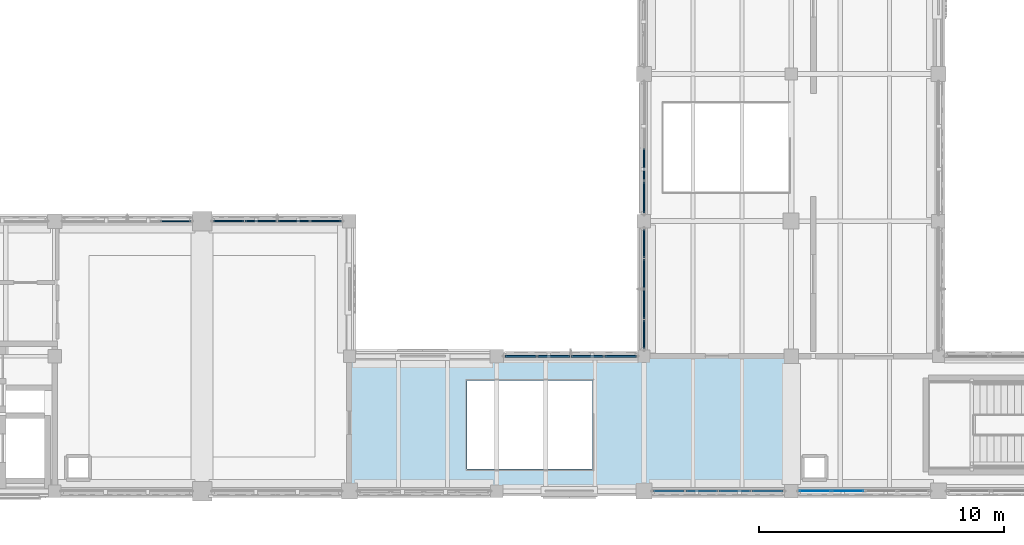
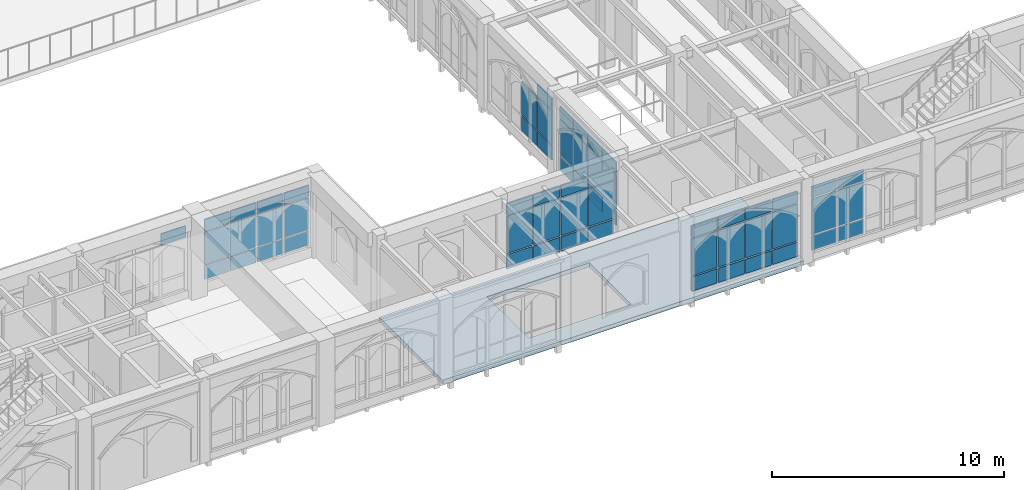
# One storey, part 66 of 127: 60 plates, 1 slab, 7 elements without a shape of their own.
"""IFC4 building model written with IfcOpenShell, lengths in metres."""

from ifc_helpers import new_model, si_unit, direction, frame, origin, origin_2d, place, context, subcontext, project, spatial, polyline, rectangle, outline, extrude, material, layer, layer_set, type_object, element, aggregate, save


model = new_model("IFC4")

# Units and contexts
model_context = context("Model", 3, precision=1e-05, world=origin(), true_north=direction((0.0, 1.0)))
body_context = subcontext(model_context, "Body", "Model", "MODEL_VIEW")
ifc_project = project(units=[si_unit("LENGTHUNIT", "METRE"), si_unit("AREAUNIT", "SQUARE_METRE"), si_unit("VOLUMEUNIT", "CUBIC_METRE"), si_unit("PLANEANGLEUNIT", "RADIAN"), si_unit("MASSUNIT", "GRAM", prefix="KILO")], contexts=[model_context])

# Site, building, storey
site_placement = place(None, origin())
site = spatial("IfcSite", under=ifc_project, at=site_placement, CompositionType="ELEMENT")
building_placement = place(site_placement, origin())
building = spatial("IfcBuilding", under=site, at=building_placement, Name="Cumevento Cable Car Station", CompositionType="ELEMENT")
storey_placement = place(building_placement, frame((0.0, 0.0, 4.5)))
storey = spatial("IfcBuildingStorey", under=building, at=storey_placement, Name="L02", CompositionType="ELEMENT", Elevation=4.5)

# Slab
ifc_material_1 = material(Name="Concrete C40/50", Category="concrete")
ifc_layer_1 = layer(ifc_material_1, 0.22412109375)
ifc_layer_set_1 = layer_set([ifc_layer_1], Name="Concrete C40/50")
slab_type = type_object("IfcSlabType", Name="Concrete Deck FS-224 224", PredefinedType="FLOOR", material=ifc_layer_set_1)
slab_placement = place(storey_placement, frame((0.0, 0.0, -0.22412109375)))
element("IfcSlab", 1, at=slab_placement, inside=storey, type_object=slab_type, Name="Floor Slab FS-224 L02 B_V1b.1", PredefinedType="FLOOR", context=body_context, shape_type="SweptSolid", body=[
    extrude(outline(polyline([(46.0, 4.0), (64.0, 4.0), (64.0, 9.5), (46.0, 9.5), (46.0, 4.0)]), holes=[polyline([(50.800048828125, 4.89990234375), (55.89990234375, 4.89990234375), (55.89990234375, 8.5), (50.800048828125, 8.5), (50.800048828125, 4.89990234375)])]), origin(), (0.0, 0.0, 1.0), 0.22412109375),
])

# Curtain wall, plates
ifc_material_2 = material(Name="Anodised Bronze Aluminium AW-6063-T6", Category="aluminium")
ifc_layer_2 = layer(ifc_material_2, 0.23193359375)
ifc_layer_set_2 = layer_set([ifc_layer_2], Name="Anodised Bronze Aluminium AW-6063-T6")
curtain_wall_type_1 = type_object("IfcCurtainWallType", Name="Lancet Curtain Wall CW-13 1530", PredefinedType="NOTDEFINED", material=ifc_layer_set_2)
curtain_wall_1_placement = place(storey_placement, origin())
curtain_wall_1 = element("IfcCurtainWall", 2, at=curtain_wall_1_placement, inside=storey, type_object=curtain_wall_type_1, Name="Lancet Curtain Wall CW-13 L02 #28", PredefinedType="NOTDEFINED")
ifc_material_3 = material(Name="Solar Control Laminated Double Glazing", Category="glass")
ifc_layer_3 = layer(ifc_material_3, 0.02197265625)
ifc_layer_set_3 = layer_set([ifc_layer_3], Name="Solar Control Laminated Double Glazing")
plate_type_1 = type_object("IfcPlateType", Name="Glazed Panel CWP-01 22", PredefinedType="CURTAIN_PANEL", material=ifc_layer_set_3)
plate_1_placement = place(storey_placement, frame((66.300048828125, 4.0, 0.425048828125), z_axis=(0.0, 0.0, 1.0), x_axis=(-1.0, 0.0, 0.0)))
plate_1 = element("IfcPlate", 3, at=plate_1_placement, type_object=plate_type_1, Name="CW-13 panel 3.1", PredefinedType="CURTAIN_PANEL", context=body_context, shape_type="SweptSolid", body=[
    extrude(rectangle(XDim=1.284912109375, YDim=0.02197265625, at=origin_2d()), origin(), (0.0, 0.0, 1.0), 0.75244140625),
])
plate_2_placement = place(storey_placement, frame((66.300048828125, 4.0, 1.24267578125), z_axis=(0.0, 0.0, 1.0), x_axis=(-1.0, 0.0, 0.0)))
plate_2 = element("IfcPlate", 4, at=plate_2_placement, type_object=plate_type_1, Name="CW-13 panel 3.2", PredefinedType="CURTAIN_PANEL", context=body_context, shape_type="SweptSolid", body=[
    extrude(rectangle(XDim=1.284912109375, YDim=0.02197265625, at=origin_2d()), origin(), (0.0, 0.0, 1.0), 1.882080078125),
])
plate_3_placement = place(storey_placement, frame((66.300048828125, 4.0, 3.189453125), z_axis=(0.0, 0.0, 1.0), x_axis=(-1.0, 0.0, 0.0)))
plate_3 = element("IfcPlate", 5, at=plate_3_placement, type_object=plate_type_1, Name="CW-13 panel 3.3", PredefinedType="CURTAIN_PANEL", context=body_context, shape_type="SweptSolid", body=[
    extrude(rectangle(XDim=1.284912109375, YDim=0.02197265625, at=origin_2d()), origin(), (0.0, 0.0, 1.0), 0.6025390625),
])
plate_4_placement = place(storey_placement, frame((64.96630859375, 4.0, 0.425048828125), z_axis=(0.0, 0.0, 1.0), x_axis=(-1.0, 0.0, 0.0)))
plate_4 = element("IfcPlate", 6, at=plate_4_placement, type_object=plate_type_1, Name="CW-13 panel 4.1", PredefinedType="CURTAIN_PANEL", context=body_context, shape_type="SweptSolid", body=[
    extrude(rectangle(XDim=1.25244140625, YDim=0.02197265625, at=origin_2d()), origin(), (0.0, 0.0, 1.0), 0.75244140625),
])
plate_5_placement = place(storey_placement, frame((64.96630859375, 4.0, 1.24267578125), z_axis=(0.0, 0.0, 1.0), x_axis=(-1.0, 0.0, 0.0)))
plate_5 = element("IfcPlate", 7, at=plate_5_placement, type_object=plate_type_1, Name="CW-13 panel 4.2", PredefinedType="CURTAIN_PANEL", context=body_context, shape_type="SweptSolid", body=[
    extrude(rectangle(XDim=1.25244140625, YDim=0.02197265625, at=origin_2d()), origin(), (0.0, 0.0, 1.0), 1.882080078125),
])
plate_6_placement = place(storey_placement, frame((64.96630859375, 4.0, 3.189453125), z_axis=(0.0, 0.0, 1.0), x_axis=(-1.0, 0.0, 0.0)))
plate_6 = element("IfcPlate", 8, at=plate_6_placement, type_object=plate_type_1, Name="CW-13 panel 4.3", PredefinedType="CURTAIN_PANEL", context=body_context, shape_type="SweptSolid", body=[
    extrude(rectangle(XDim=1.25244140625, YDim=0.02197265625, at=origin_2d()), origin(), (0.0, 0.0, 1.0), 0.6025390625),
])
aggregate(curtain_wall_1, [plate_1, plate_2, plate_3, plate_4, plate_5, plate_6])

# Curtain wall, plate
ifc_material_4 = material(Name="Anodised Bronze Aluminium AW-6063-T6", Category="aluminium")
ifc_layer_4 = layer(ifc_material_4, 0.18994140625)
ifc_layer_set_4 = layer_set([ifc_layer_4], Name="Anodised Bronze Aluminium AW-6063-T6")
curtain_wall_type_2 = type_object("IfcCurtainWallType", Name="Lancet Curtain Wall CW-06 1250", PredefinedType="NOTDEFINED", material=ifc_layer_set_4)
curtain_wall_2_placement = place(storey_placement, origin())
curtain_wall_2 = element("IfcCurtainWall", 9, at=curtain_wall_2_placement, inside=storey, type_object=curtain_wall_type_2, Name="Lancet Curtain Wall CW-06 L02 #21", PredefinedType="NOTDEFINED")
ifc_material_5 = material(Name="Solar Control Laminated Double Glazing", Category="glass")
ifc_layer_5 = layer(ifc_material_5, 0.050048828125)
ifc_layer_set_5 = layer_set([ifc_layer_5], Name="Solar Control Laminated Double Glazing")
plate_type_2 = type_object("IfcPlateType", Name="Glazed Panel CWP-08 50", PredefinedType="CURTAIN_PANEL", material=ifc_layer_set_5)
plate_7_placement = place(storey_placement, frame((38.921142578125, 15.0, 3.1416015625), z_axis=(0.0, 0.0, 1.0), x_axis=(1.0, 0.0, 0.0)))
plate_7 = element("IfcPlate", 10, at=plate_7_placement, type_object=plate_type_2, Name="CW-06 panel 4.3", PredefinedType="CURTAIN_PANEL", context=body_context, shape_type="SweptSolid", body=[
    extrude(rectangle(XDim=1.2275390625, YDim=0.050048828125, at=origin_2d()), origin(), (0.0, 0.0, 1.0), 0.6025390625),
])
aggregate(curtain_wall_2, [plate_7])

# Curtain wall, plates
ifc_material_6 = material(Name="Anodised Bronze Aluminium AW-6063-T6", Category="aluminium")
ifc_layer_6 = layer(ifc_material_6, 0.18408203125)
ifc_layer_set_6 = layer_set([ifc_layer_6], Name="Anodised Bronze Aluminium AW-6063-T6")
curtain_wall_type_3 = type_object("IfcCurtainWallType", Name="Lancet Curtain Wall CW-05 1210", PredefinedType="NOTDEFINED", material=ifc_layer_set_6)
curtain_wall_3_placement = place(storey_placement, origin())
curtain_wall_3 = element("IfcCurtainWall", 11, at=curtain_wall_3_placement, inside=storey, type_object=curtain_wall_type_3, Name="Lancet Curtain Wall CW-05 L02 #36", PredefinedType="NOTDEFINED")
ifc_material_7 = material(Name="Insulated Bronze Aluminium Spandrel Panel", Category="aluminium")
ifc_layer_7 = layer(ifc_material_7, 0.054931640625)
ifc_layer_set_7 = layer_set([ifc_layer_7], Name="Insulated Bronze Aluminium Spandrel Panel")
plate_type_3 = type_object("IfcPlateType", Name="Spandrel Panel CWP-09 55", PredefinedType="CURTAIN_PANEL", material=ifc_layer_set_7)
plate_8_placement = place(storey_placement, frame((58.0, 10.38818359375, 0.425048828125), z_axis=(0.0, 0.0, 1.0), x_axis=(0.0, 1.0, 0.0)))
plate_8 = element("IfcPlate", 12, at=plate_8_placement, type_object=plate_type_3, Name="CW-05 panel 1.1", PredefinedType="CURTAIN_PANEL", context=body_context, shape_type="SweptSolid", body=[
    extrude(rectangle(XDim=1.146240234375, YDim=0.054931640625, at=origin_2d()), origin(), (0.0, 0.0, 1.0), 0.75244140625),
])
plate_9_placement = place(storey_placement, frame((58.0, 10.38818359375, 1.242431640625), z_axis=(0.0, 0.0, 1.0), x_axis=(0.0, 1.0, 0.0)))
plate_9 = element("IfcPlate", 13, at=plate_9_placement, type_object=plate_type_3, Name="CW-05 panel 1.2", PredefinedType="CURTAIN_PANEL", context=body_context, shape_type="SweptSolid", body=[
    extrude(rectangle(XDim=1.146240234375, YDim=0.054931640625, at=origin_2d()), origin(), (0.0, 0.0, 1.0), 1.85791015625),
])
plate_10_placement = place(storey_placement, frame((58.0, 10.38818359375, 3.16552734375), z_axis=(0.0, 0.0, 1.0), x_axis=(0.0, 1.0, 0.0)))
plate_10 = element("IfcPlate", 14, at=plate_10_placement, type_object=plate_type_3, Name="CW-05 panel 1.3", PredefinedType="CURTAIN_PANEL", context=body_context, shape_type="SweptSolid", body=[
    extrude(rectangle(XDim=1.146240234375, YDim=0.054931640625, at=origin_2d()), origin(), (0.0, 0.0, 1.0), 0.6025390625),
])
plate_11_placement = place(storey_placement, frame((58.0, 11.61572265625, 0.425048828125), z_axis=(0.0, 0.0, 1.0), x_axis=(0.0, 1.0, 0.0)))
plate_11 = element("IfcPlate", 15, at=plate_11_placement, type_object=plate_type_3, Name="CW-05 panel 2.1", PredefinedType="CURTAIN_PANEL", context=body_context, shape_type="SweptSolid", body=[
    extrude(rectangle(XDim=1.1787109375, YDim=0.054931640625, at=origin_2d()), origin(), (0.0, 0.0, 1.0), 0.75244140625),
])
plate_12_placement = place(storey_placement, frame((58.0, 11.61572265625, 1.242431640625), z_axis=(0.0, 0.0, 1.0), x_axis=(0.0, 1.0, 0.0)))
plate_12 = element("IfcPlate", 16, at=plate_12_placement, type_object=plate_type_3, Name="CW-05 panel 2.2", PredefinedType="CURTAIN_PANEL", context=body_context, shape_type="SweptSolid", body=[
    extrude(rectangle(XDim=1.1787109375, YDim=0.054931640625, at=origin_2d()), origin(), (0.0, 0.0, 1.0), 1.85791015625),
])
plate_13_placement = place(storey_placement, frame((58.0, 11.61572265625, 3.16552734375), z_axis=(0.0, 0.0, 1.0), x_axis=(0.0, 1.0, 0.0)))
plate_13 = element("IfcPlate", 17, at=plate_13_placement, type_object=plate_type_3, Name="CW-05 panel 2.3", PredefinedType="CURTAIN_PANEL", context=body_context, shape_type="SweptSolid", body=[
    extrude(rectangle(XDim=1.1787109375, YDim=0.054931640625, at=origin_2d()), origin(), (0.0, 0.0, 1.0), 0.6025390625),
])
plate_14_placement = place(storey_placement, frame((58.0, 12.859375, 0.425048828125), z_axis=(0.0, 0.0, 1.0), x_axis=(0.0, 1.0, 0.0)))
plate_14 = element("IfcPlate", 18, at=plate_14_placement, type_object=plate_type_3, Name="CW-05 panel 3.1", PredefinedType="CURTAIN_PANEL", context=body_context, shape_type="SweptSolid", body=[
    extrude(rectangle(XDim=1.1787109375, YDim=0.054931640625, at=origin_2d()), origin(), (0.0, 0.0, 1.0), 0.75244140625),
])
plate_15_placement = place(storey_placement, frame((58.0, 12.859375, 1.242431640625), z_axis=(0.0, 0.0, 1.0), x_axis=(0.0, 1.0, 0.0)))
plate_15 = element("IfcPlate", 19, at=plate_15_placement, type_object=plate_type_3, Name="CW-05 panel 3.2", PredefinedType="CURTAIN_PANEL", context=body_context, shape_type="SweptSolid", body=[
    extrude(rectangle(XDim=1.1787109375, YDim=0.054931640625, at=origin_2d()), origin(), (0.0, 0.0, 1.0), 1.85791015625),
])
plate_16_placement = place(storey_placement, frame((58.0, 12.859375, 3.16552734375), z_axis=(0.0, 0.0, 1.0), x_axis=(0.0, 1.0, 0.0)))
plate_16 = element("IfcPlate", 20, at=plate_16_placement, type_object=plate_type_3, Name="CW-05 panel 3.3", PredefinedType="CURTAIN_PANEL", context=body_context, shape_type="SweptSolid", body=[
    extrude(rectangle(XDim=1.1787109375, YDim=0.054931640625, at=origin_2d()), origin(), (0.0, 0.0, 1.0), 0.6025390625),
])
plate_17_placement = place(storey_placement, frame((58.0, 14.0869140625, 0.425048828125), z_axis=(0.0, 0.0, 1.0), x_axis=(0.0, 1.0, 0.0)))
plate_17 = element("IfcPlate", 21, at=plate_17_placement, type_object=plate_type_3, Name="CW-05 panel 4.1", PredefinedType="CURTAIN_PANEL", context=body_context, shape_type="SweptSolid", body=[
    extrude(rectangle(XDim=1.146240234375, YDim=0.054931640625, at=origin_2d()), origin(), (0.0, 0.0, 1.0), 0.75244140625),
])
plate_18_placement = place(storey_placement, frame((58.0, 14.0869140625, 1.242431640625), z_axis=(0.0, 0.0, 1.0), x_axis=(0.0, 1.0, 0.0)))
plate_18 = element("IfcPlate", 22, at=plate_18_placement, type_object=plate_type_3, Name="CW-05 panel 4.2", PredefinedType="CURTAIN_PANEL", context=body_context, shape_type="SweptSolid", body=[
    extrude(rectangle(XDim=1.146240234375, YDim=0.054931640625, at=origin_2d()), origin(), (0.0, 0.0, 1.0), 1.85791015625),
])
plate_19_placement = place(storey_placement, frame((58.0, 14.0869140625, 3.16552734375), z_axis=(0.0, 0.0, 1.0), x_axis=(0.0, 1.0, 0.0)))
plate_19 = element("IfcPlate", 23, at=plate_19_placement, type_object=plate_type_3, Name="CW-05 panel 4.3", PredefinedType="CURTAIN_PANEL", context=body_context, shape_type="SweptSolid", body=[
    extrude(rectangle(XDim=1.146240234375, YDim=0.054931640625, at=origin_2d()), origin(), (0.0, 0.0, 1.0), 0.6025390625),
])
aggregate(curtain_wall_3, [plate_8, plate_9, plate_10, plate_11, plate_12, plate_13, plate_14, plate_15, plate_16, plate_17, plate_18, plate_19])

ifc_material_8 = material(Name="Anodised Bronze Aluminium AW-6063-T6", Category="aluminium")
ifc_layer_8 = layer(ifc_material_8, 0.201904296875)
ifc_layer_set_8 = layer_set([ifc_layer_8], Name="Anodised Bronze Aluminium AW-6063-T6")
curtain_wall_type_4 = type_object("IfcCurtainWallType", Name="Lancet Curtain Wall CW-08 1330", PredefinedType="NOTDEFINED", material=ifc_layer_set_8)
curtain_wall_4_placement = place(storey_placement, origin())
curtain_wall_4 = element("IfcCurtainWall", 24, at=curtain_wall_4_placement, inside=storey, type_object=curtain_wall_type_4, Name="Lancet Curtain Wall CW-08 L02 #23", PredefinedType="NOTDEFINED")
ifc_material_9 = material(Name="Insulated Bronze Aluminium Spandrel Panel", Category="aluminium")
ifc_layer_9 = layer(ifc_material_9, 0.06005859375)
ifc_layer_set_9 = layer_set([ifc_layer_9], Name="Insulated Bronze Aluminium Spandrel Panel")
plate_type_4 = type_object("IfcPlateType", Name="Spandrel Panel CWP-10 60", PredefinedType="CURTAIN_PANEL", material=ifc_layer_set_9)
plate_20_placement = place(storey_placement, frame((41.081787109375, 15.0, 0.5849609375), z_axis=(0.0, 0.0, 1.0), x_axis=(1.0, 0.0, 0.0)))
plate_20 = element("IfcPlate", 25, at=plate_20_placement, type_object=plate_type_4, Name="CW-08 panel 1.1", PredefinedType="CURTAIN_PANEL", context=body_context, shape_type="SweptSolid", body=[
    extrude(rectangle(XDim=1.233642578125, YDim=0.06005859375, at=origin_2d()), origin(), (0.0, 0.0, 1.0), 0.75244140625),
])
plate_21_placement = place(storey_placement, frame((41.081787109375, 15.0, 1.40234375), z_axis=(0.0, 0.0, 1.0), x_axis=(1.0, 0.0, 0.0)))
plate_21 = element("IfcPlate", 26, at=plate_21_placement, type_object=plate_type_4, Name="CW-08 panel 1.2", PredefinedType="CURTAIN_PANEL", context=body_context, shape_type="SweptSolid", body=[
    extrude(rectangle(XDim=1.233642578125, YDim=0.06005859375, at=origin_2d()), origin(), (0.0, 0.0, 1.0), 1.674072265625),
])
plate_22_placement = place(storey_placement, frame((41.081787109375, 15.0, 3.1416015625), z_axis=(0.0, 0.0, 1.0), x_axis=(1.0, 0.0, 0.0)))
plate_22 = element("IfcPlate", 27, at=plate_22_placement, type_object=plate_type_4, Name="CW-08 panel 1.3", PredefinedType="CURTAIN_PANEL", context=body_context, shape_type="SweptSolid", body=[
    extrude(rectangle(XDim=1.233642578125, YDim=0.06005859375, at=origin_2d()), origin(), (0.0, 0.0, 1.0), 0.6025390625),
])
plate_23_placement = place(storey_placement, frame((42.39697265625, 15.0, 0.5849609375), z_axis=(0.0, 0.0, 1.0), x_axis=(1.0, 0.0, 0.0)))
plate_23 = element("IfcPlate", 28, at=plate_23_placement, type_object=plate_type_4, Name="CW-08 panel 2.1", PredefinedType="CURTAIN_PANEL", context=body_context, shape_type="SweptSolid", body=[
    extrude(rectangle(XDim=1.266357421875, YDim=0.06005859375, at=origin_2d()), origin(), (0.0, 0.0, 1.0), 0.75244140625),
])
plate_24_placement = place(storey_placement, frame((42.39697265625, 15.0, 1.40234375), z_axis=(0.0, 0.0, 1.0), x_axis=(1.0, 0.0, 0.0)))
plate_24 = element("IfcPlate", 29, at=plate_24_placement, type_object=plate_type_4, Name="CW-08 panel 2.2", PredefinedType="CURTAIN_PANEL", context=body_context, shape_type="SweptSolid", body=[
    extrude(rectangle(XDim=1.266357421875, YDim=0.06005859375, at=origin_2d()), origin(), (0.0, 0.0, 1.0), 1.674072265625),
])
plate_25_placement = place(storey_placement, frame((42.39697265625, 15.0, 3.1416015625), z_axis=(0.0, 0.0, 1.0), x_axis=(1.0, 0.0, 0.0)))
plate_25 = element("IfcPlate", 30, at=plate_25_placement, type_object=plate_type_4, Name="CW-08 panel 2.3", PredefinedType="CURTAIN_PANEL", context=body_context, shape_type="SweptSolid", body=[
    extrude(rectangle(XDim=1.266357421875, YDim=0.06005859375, at=origin_2d()), origin(), (0.0, 0.0, 1.0), 0.6025390625),
])
plate_26_placement = place(storey_placement, frame((43.72802734375, 15.0, 0.5849609375), z_axis=(0.0, 0.0, 1.0), x_axis=(1.0, 0.0, 0.0)))
plate_26 = element("IfcPlate", 31, at=plate_26_placement, type_object=plate_type_4, Name="CW-08 panel 3.1", PredefinedType="CURTAIN_PANEL", context=body_context, shape_type="SweptSolid", body=[
    extrude(rectangle(XDim=1.266357421875, YDim=0.06005859375, at=origin_2d()), origin(), (0.0, 0.0, 1.0), 0.75244140625),
])
plate_27_placement = place(storey_placement, frame((43.72802734375, 15.0, 1.40234375), z_axis=(0.0, 0.0, 1.0), x_axis=(1.0, 0.0, 0.0)))
plate_27 = element("IfcPlate", 32, at=plate_27_placement, type_object=plate_type_4, Name="CW-08 panel 3.2", PredefinedType="CURTAIN_PANEL", context=body_context, shape_type="SweptSolid", body=[
    extrude(rectangle(XDim=1.266357421875, YDim=0.06005859375, at=origin_2d()), origin(), (0.0, 0.0, 1.0), 1.674072265625),
])
plate_28_placement = place(storey_placement, frame((43.72802734375, 15.0, 3.1416015625), z_axis=(0.0, 0.0, 1.0), x_axis=(1.0, 0.0, 0.0)))
plate_28 = element("IfcPlate", 33, at=plate_28_placement, type_object=plate_type_4, Name="CW-08 panel 3.3", PredefinedType="CURTAIN_PANEL", context=body_context, shape_type="SweptSolid", body=[
    extrude(rectangle(XDim=1.266357421875, YDim=0.06005859375, at=origin_2d()), origin(), (0.0, 0.0, 1.0), 0.6025390625),
])
plate_29_placement = place(storey_placement, frame((45.043212890625, 15.0, 0.5849609375), z_axis=(0.0, 0.0, 1.0), x_axis=(1.0, 0.0, 0.0)))
plate_29 = element("IfcPlate", 34, at=plate_29_placement, type_object=plate_type_4, Name="CW-08 panel 4.1", PredefinedType="CURTAIN_PANEL", context=body_context, shape_type="SweptSolid", body=[
    extrude(rectangle(XDim=1.233642578125, YDim=0.06005859375, at=origin_2d()), origin(), (0.0, 0.0, 1.0), 0.75244140625),
])
plate_30_placement = place(storey_placement, frame((45.043212890625, 15.0, 1.40234375), z_axis=(0.0, 0.0, 1.0), x_axis=(1.0, 0.0, 0.0)))
plate_30 = element("IfcPlate", 35, at=plate_30_placement, type_object=plate_type_4, Name="CW-08 panel 4.2", PredefinedType="CURTAIN_PANEL", context=body_context, shape_type="SweptSolid", body=[
    extrude(rectangle(XDim=1.233642578125, YDim=0.06005859375, at=origin_2d()), origin(), (0.0, 0.0, 1.0), 1.674072265625),
])
plate_31_placement = place(storey_placement, frame((45.043212890625, 15.0, 3.1416015625), z_axis=(0.0, 0.0, 1.0), x_axis=(1.0, 0.0, 0.0)))
plate_31 = element("IfcPlate", 36, at=plate_31_placement, type_object=plate_type_4, Name="CW-08 panel 4.3", PredefinedType="CURTAIN_PANEL", context=body_context, shape_type="SweptSolid", body=[
    extrude(rectangle(XDim=1.233642578125, YDim=0.06005859375, at=origin_2d()), origin(), (0.0, 0.0, 1.0), 0.6025390625),
])
aggregate(curtain_wall_4, [plate_20, plate_21, plate_22, plate_23, plate_24, plate_25, plate_26, plate_27, plate_28, plate_29, plate_30, plate_31])

ifc_material_10 = material(Name="Anodised Bronze Aluminium AW-6063-T6", Category="aluminium")
ifc_layer_10 = layer(ifc_material_10, 0.196044921875)
ifc_layer_set_10 = layer_set([ifc_layer_10], Name="Anodised Bronze Aluminium AW-6063-T6")
curtain_wall_type_5 = type_object("IfcCurtainWallType", Name="Lancet Curtain Wall CW-07 1290", PredefinedType="NOTDEFINED", material=ifc_layer_set_10)
curtain_wall_5_placement = place(storey_placement, origin())
curtain_wall_5 = element("IfcCurtainWall", 37, at=curtain_wall_5_placement, inside=storey, type_object=curtain_wall_type_5, Name="Lancet Curtain Wall CW-07 L02 #38", PredefinedType="NOTDEFINED")
ifc_material_11 = material(Name="Insulated Bronze Aluminium Spandrel Panel", Category="aluminium")
ifc_layer_11 = layer(ifc_material_11, 0.06591796875)
ifc_layer_set_11 = layer_set([ifc_layer_11], Name="Insulated Bronze Aluminium Spandrel Panel")
plate_type_5 = type_object("IfcPlateType", Name="Spandrel Panel CWP-11 66", PredefinedType="CURTAIN_PANEL", material=ifc_layer_set_11)
plate_32_placement = place(storey_placement, frame((58.0, 15.969482421875, 0.525146484375), z_axis=(0.0, 0.0, 1.0), x_axis=(0.0, 1.0, 0.0)))
plate_32 = element("IfcPlate", 38, at=plate_32_placement, type_object=plate_type_5, Name="CW-07 panel 1.1", PredefinedType="CURTAIN_PANEL", context=body_context, shape_type="SweptSolid", body=[
    extrude(rectangle(XDim=1.2587890625, YDim=0.06591796875, at=origin_2d()), origin(), (0.0, 0.0, 1.0), 0.75244140625),
])
plate_33_placement = place(storey_placement, frame((58.0, 15.969482421875, 1.34228515625), z_axis=(0.0, 0.0, 1.0), x_axis=(0.0, 1.0, 0.0)))
plate_33 = element("IfcPlate", 39, at=plate_33_placement, type_object=plate_type_5, Name="CW-07 panel 1.2", PredefinedType="CURTAIN_PANEL", context=body_context, shape_type="SweptSolid", body=[
    extrude(rectangle(XDim=1.2587890625, YDim=0.06591796875, at=origin_2d()), origin(), (0.0, 0.0, 1.0), 1.758056640625),
])
plate_34_placement = place(storey_placement, frame((58.0, 15.969482421875, 3.16552734375), z_axis=(0.0, 0.0, 1.0), x_axis=(0.0, 1.0, 0.0)))
plate_34 = element("IfcPlate", 40, at=plate_34_placement, type_object=plate_type_5, Name="CW-07 panel 1.3", PredefinedType="CURTAIN_PANEL", context=body_context, shape_type="SweptSolid", body=[
    extrude(rectangle(XDim=1.2587890625, YDim=0.06591796875, at=origin_2d()), origin(), (0.0, 0.0, 1.0), 0.6025390625),
])
plate_35_placement = place(storey_placement, frame((58.0, 17.309326171875, 0.525146484375), z_axis=(0.0, 0.0, 1.0), x_axis=(0.0, 1.0, 0.0)))
plate_35 = element("IfcPlate", 41, at=plate_35_placement, type_object=plate_type_5, Name="CW-07 panel 2.1", PredefinedType="CURTAIN_PANEL", context=body_context, shape_type="SweptSolid", body=[
    extrude(rectangle(XDim=1.291259765625, YDim=0.06591796875, at=origin_2d()), origin(), (0.0, 0.0, 1.0), 0.75244140625),
])
plate_36_placement = place(storey_placement, frame((58.0, 17.309326171875, 1.34228515625), z_axis=(0.0, 0.0, 1.0), x_axis=(0.0, 1.0, 0.0)))
plate_36 = element("IfcPlate", 42, at=plate_36_placement, type_object=plate_type_5, Name="CW-07 panel 2.2", PredefinedType="CURTAIN_PANEL", context=body_context, shape_type="SweptSolid", body=[
    extrude(rectangle(XDim=1.291259765625, YDim=0.06591796875, at=origin_2d()), origin(), (0.0, 0.0, 1.0), 1.758056640625),
])
aggregate(curtain_wall_5, [plate_32, plate_33, plate_34, plate_35, plate_36])

ifc_material_12 = material(Name="Anodised Bronze Aluminium AW-6063-T6", Category="aluminium")
ifc_layer_12 = layer(ifc_material_12, 0.219970703125)
ifc_layer_set_12 = layer_set([ifc_layer_12], Name="Anodised Bronze Aluminium AW-6063-T6")
curtain_wall_type_6 = type_object("IfcCurtainWallType", Name="Lancet Curtain Wall CW-11 1450", PredefinedType="NOTDEFINED", material=ifc_layer_set_12)
curtain_wall_6_placement = place(storey_placement, origin())
curtain_wall_6 = element("IfcCurtainWall", 43, at=curtain_wall_6_placement, inside=storey, type_object=curtain_wall_type_6, Name="Lancet Curtain Wall CW-11 L02 #26", PredefinedType="NOTDEFINED")
ifc_material_13 = material(Name="Insulated Bronze Aluminium Spandrel Panel", Category="aluminium")
ifc_layer_13 = layer(ifc_material_13, 0.077880859375)
ifc_layer_set_13 = layer_set([ifc_layer_13], Name="Insulated Bronze Aluminium Spandrel Panel")
plate_type_6 = type_object("IfcPlateType", Name="Spandrel Panel CWP-13 78", PredefinedType="CURTAIN_PANEL", material=ifc_layer_set_13)
plate_37_placement = place(storey_placement, frame((52.9755859375, 9.5, 0.324951171875), z_axis=(0.0, 0.0, 1.0), x_axis=(1.0, 0.0, 0.0)))
plate_37 = element("IfcPlate", 44, at=plate_37_placement, type_object=plate_type_6, Name="CW-11 panel 1.1", PredefinedType="CURTAIN_PANEL", context=body_context, shape_type="SweptSolid", body=[
    extrude(rectangle(XDim=1.271240234375, YDim=0.077880859375, at=origin_2d()), origin(), (0.0, 0.0, 1.0), 0.75244140625),
])
plate_38_placement = place(storey_placement, frame((52.9755859375, 9.5, 1.142578125), z_axis=(0.0, 0.0, 1.0), x_axis=(1.0, 0.0, 0.0)))
plate_38 = element("IfcPlate", 45, at=plate_38_placement, type_object=plate_type_6, Name="CW-11 panel 1.2", PredefinedType="CURTAIN_PANEL", context=body_context, shape_type="SweptSolid", body=[
    extrude(rectangle(XDim=1.271240234375, YDim=0.077880859375, at=origin_2d()), origin(), (0.0, 0.0, 1.0), 1.9580078125),
])
plate_39_placement = place(storey_placement, frame((52.9755859375, 9.5, 3.16552734375), z_axis=(0.0, 0.0, 1.0), x_axis=(1.0, 0.0, 0.0)))
plate_39 = element("IfcPlate", 46, at=plate_39_placement, type_object=plate_type_6, Name="CW-11 panel 1.3", PredefinedType="CURTAIN_PANEL", context=body_context, shape_type="SweptSolid", body=[
    extrude(rectangle(XDim=1.271240234375, YDim=0.077880859375, at=origin_2d()), origin(), (0.0, 0.0, 1.0), 0.6025390625),
])
plate_40_placement = place(storey_placement, frame((54.328125, 9.5, 0.324951171875), z_axis=(0.0, 0.0, 1.0), x_axis=(1.0, 0.0, 0.0)))
plate_40 = element("IfcPlate", 47, at=plate_40_placement, type_object=plate_type_6, Name="CW-11 panel 2.1", PredefinedType="CURTAIN_PANEL", context=body_context, shape_type="SweptSolid", body=[
    extrude(rectangle(XDim=1.3037109375, YDim=0.077880859375, at=origin_2d()), origin(), (0.0, 0.0, 1.0), 0.75244140625),
])
plate_41_placement = place(storey_placement, frame((54.328125, 9.5, 1.142578125), z_axis=(0.0, 0.0, 1.0), x_axis=(1.0, 0.0, 0.0)))
plate_41 = element("IfcPlate", 48, at=plate_41_placement, type_object=plate_type_6, Name="CW-11 panel 2.2", PredefinedType="CURTAIN_PANEL", context=body_context, shape_type="SweptSolid", body=[
    extrude(rectangle(XDim=1.3037109375, YDim=0.077880859375, at=origin_2d()), origin(), (0.0, 0.0, 1.0), 1.9580078125),
])
plate_42_placement = place(storey_placement, frame((54.328125, 9.5, 3.16552734375), z_axis=(0.0, 0.0, 1.0), x_axis=(1.0, 0.0, 0.0)))
plate_42 = element("IfcPlate", 49, at=plate_42_placement, type_object=plate_type_6, Name="CW-11 panel 2.3", PredefinedType="CURTAIN_PANEL", context=body_context, shape_type="SweptSolid", body=[
    extrude(rectangle(XDim=1.3037109375, YDim=0.077880859375, at=origin_2d()), origin(), (0.0, 0.0, 1.0), 0.6025390625),
])
plate_43_placement = place(storey_placement, frame((55.69677734375, 9.5, 0.324951171875), z_axis=(0.0, 0.0, 1.0), x_axis=(1.0, 0.0, 0.0)))
plate_43 = element("IfcPlate", 50, at=plate_43_placement, type_object=plate_type_6, Name="CW-11 panel 3.1", PredefinedType="CURTAIN_PANEL", context=body_context, shape_type="SweptSolid", body=[
    extrude(rectangle(XDim=1.3037109375, YDim=0.077880859375, at=origin_2d()), origin(), (0.0, 0.0, 1.0), 0.75244140625),
])
plate_44_placement = place(storey_placement, frame((55.69677734375, 9.5, 1.142578125), z_axis=(0.0, 0.0, 1.0), x_axis=(1.0, 0.0, 0.0)))
plate_44 = element("IfcPlate", 51, at=plate_44_placement, type_object=plate_type_6, Name="CW-11 panel 3.2", PredefinedType="CURTAIN_PANEL", context=body_context, shape_type="SweptSolid", body=[
    extrude(rectangle(XDim=1.3037109375, YDim=0.077880859375, at=origin_2d()), origin(), (0.0, 0.0, 1.0), 1.9580078125),
])
plate_45_placement = place(storey_placement, frame((55.69677734375, 9.5, 3.16552734375), z_axis=(0.0, 0.0, 1.0), x_axis=(1.0, 0.0, 0.0)))
plate_45 = element("IfcPlate", 52, at=plate_45_placement, type_object=plate_type_6, Name="CW-11 panel 3.3", PredefinedType="CURTAIN_PANEL", context=body_context, shape_type="SweptSolid", body=[
    extrude(rectangle(XDim=1.3037109375, YDim=0.077880859375, at=origin_2d()), origin(), (0.0, 0.0, 1.0), 0.6025390625),
])
plate_46_placement = place(storey_placement, frame((57.04931640625, 9.5, 0.324951171875), z_axis=(0.0, 0.0, 1.0), x_axis=(1.0, 0.0, 0.0)))
plate_46 = element("IfcPlate", 53, at=plate_46_placement, type_object=plate_type_6, Name="CW-11 panel 4.1", PredefinedType="CURTAIN_PANEL", context=body_context, shape_type="SweptSolid", body=[
    extrude(rectangle(XDim=1.271240234375, YDim=0.077880859375, at=origin_2d()), origin(), (0.0, 0.0, 1.0), 0.75244140625),
])
plate_47_placement = place(storey_placement, frame((57.04931640625, 9.5, 1.142578125), z_axis=(0.0, 0.0, 1.0), x_axis=(1.0, 0.0, 0.0)))
plate_47 = element("IfcPlate", 54, at=plate_47_placement, type_object=plate_type_6, Name="CW-11 panel 4.2", PredefinedType="CURTAIN_PANEL", context=body_context, shape_type="SweptSolid", body=[
    extrude(rectangle(XDim=1.271240234375, YDim=0.077880859375, at=origin_2d()), origin(), (0.0, 0.0, 1.0), 1.9580078125),
])
plate_48_placement = place(storey_placement, frame((57.04931640625, 9.5, 3.16552734375), z_axis=(0.0, 0.0, 1.0), x_axis=(1.0, 0.0, 0.0)))
plate_48 = element("IfcPlate", 55, at=plate_48_placement, type_object=plate_type_6, Name="CW-11 panel 4.3", PredefinedType="CURTAIN_PANEL", context=body_context, shape_type="SweptSolid", body=[
    extrude(rectangle(XDim=1.271240234375, YDim=0.077880859375, at=origin_2d()), origin(), (0.0, 0.0, 1.0), 0.6025390625),
])
aggregate(curtain_wall_6, [plate_37, plate_38, plate_39, plate_40, plate_41, plate_42, plate_43, plate_44, plate_45, plate_46, plate_47, plate_48])

ifc_material_14 = material(Name="Anodised Bronze Aluminium AW-6063-T6", Category="aluminium")
ifc_layer_14 = layer(ifc_material_14, 0.22607421875)
ifc_layer_set_14 = layer_set([ifc_layer_14], Name="Anodised Bronze Aluminium AW-6063-T6")
curtain_wall_type_7 = type_object("IfcCurtainWallType", Name="Lancet Curtain Wall CW-12 1490", PredefinedType="NOTDEFINED", material=ifc_layer_set_14)
curtain_wall_7_placement = place(storey_placement, origin())
curtain_wall_7 = element("IfcCurtainWall", 56, at=curtain_wall_7_placement, inside=storey, type_object=curtain_wall_type_7, Name="Lancet Curtain Wall CW-12 L02 #27", PredefinedType="NOTDEFINED")
ifc_material_15 = material(Name="Insulated Bronze Aluminium Spandrel Panel", Category="aluminium")
ifc_layer_15 = layer(ifc_material_15, 0.0849609375)
ifc_layer_set_15 = layer_set([ifc_layer_15], Name="Insulated Bronze Aluminium Spandrel Panel")
plate_type_7 = type_object("IfcPlateType", Name="Spandrel Panel CWP-14 85", PredefinedType="CURTAIN_PANEL", material=ifc_layer_set_15)
plate_49_placement = place(storey_placement, frame((63.03369140625, 4.0, 0.375), z_axis=(0.0, 0.0, 1.0), x_axis=(-1.0, 0.0, 0.0)))
plate_49 = element("IfcPlate", 57, at=plate_49_placement, type_object=plate_type_7, Name="CW-12 panel 1.1", PredefinedType="CURTAIN_PANEL", context=body_context, shape_type="SweptSolid", body=[
    extrude(rectangle(XDim=1.25244140625, YDim=0.0849609375, at=origin_2d()), origin(), (0.0, 0.0, 1.0), 0.75244140625),
])
plate_50_placement = place(storey_placement, frame((63.03369140625, 4.0, 1.1923828125), z_axis=(0.0, 0.0, 1.0), x_axis=(-1.0, 0.0, 0.0)))
plate_50 = element("IfcPlate", 58, at=plate_50_placement, type_object=plate_type_7, Name="CW-12 panel 1.2", PredefinedType="CURTAIN_PANEL", context=body_context, shape_type="SweptSolid", body=[
    extrude(rectangle(XDim=1.25244140625, YDim=0.0849609375, at=origin_2d()), origin(), (0.0, 0.0, 1.0), 1.931884765625),
])
plate_51_placement = place(storey_placement, frame((63.03369140625, 4.0, 3.189453125), z_axis=(0.0, 0.0, 1.0), x_axis=(-1.0, 0.0, 0.0)))
plate_51 = element("IfcPlate", 59, at=plate_51_placement, type_object=plate_type_7, Name="CW-12 panel 1.3", PredefinedType="CURTAIN_PANEL", context=body_context, shape_type="SweptSolid", body=[
    extrude(rectangle(XDim=1.25244140625, YDim=0.0849609375, at=origin_2d()), origin(), (0.0, 0.0, 1.0), 0.6025390625),
])
plate_52_placement = place(storey_placement, frame((61.699951171875, 4.0, 0.375), z_axis=(0.0, 0.0, 1.0), x_axis=(-1.0, 0.0, 0.0)))
plate_52 = element("IfcPlate", 60, at=plate_52_placement, type_object=plate_type_7, Name="CW-12 panel 2.1", PredefinedType="CURTAIN_PANEL", context=body_context, shape_type="SweptSolid", body=[
    extrude(rectangle(XDim=1.284912109375, YDim=0.0849609375, at=origin_2d()), origin(), (0.0, 0.0, 1.0), 0.75244140625),
])
plate_53_placement = place(storey_placement, frame((61.699951171875, 4.0, 1.1923828125), z_axis=(0.0, 0.0, 1.0), x_axis=(-1.0, 0.0, 0.0)))
plate_53 = element("IfcPlate", 61, at=plate_53_placement, type_object=plate_type_7, Name="CW-12 panel 2.2", PredefinedType="CURTAIN_PANEL", context=body_context, shape_type="SweptSolid", body=[
    extrude(rectangle(XDim=1.284912109375, YDim=0.0849609375, at=origin_2d()), origin(), (0.0, 0.0, 1.0), 1.931884765625),
])
plate_54_placement = place(storey_placement, frame((61.699951171875, 4.0, 3.189453125), z_axis=(0.0, 0.0, 1.0), x_axis=(-1.0, 0.0, 0.0)))
plate_54 = element("IfcPlate", 62, at=plate_54_placement, type_object=plate_type_7, Name="CW-12 panel 2.3", PredefinedType="CURTAIN_PANEL", context=body_context, shape_type="SweptSolid", body=[
    extrude(rectangle(XDim=1.284912109375, YDim=0.0849609375, at=origin_2d()), origin(), (0.0, 0.0, 1.0), 0.6025390625),
])
plate_55_placement = place(storey_placement, frame((60.35009765625, 4.0, 0.375), z_axis=(0.0, 0.0, 1.0), x_axis=(-1.0, 0.0, 0.0)))
plate_55 = element("IfcPlate", 63, at=plate_55_placement, type_object=plate_type_7, Name="CW-12 panel 3.1", PredefinedType="CURTAIN_PANEL", context=body_context, shape_type="SweptSolid", body=[
    extrude(rectangle(XDim=1.284912109375, YDim=0.0849609375, at=origin_2d()), origin(), (0.0, 0.0, 1.0), 0.75244140625),
])
plate_56_placement = place(storey_placement, frame((60.35009765625, 4.0, 1.1923828125), z_axis=(0.0, 0.0, 1.0), x_axis=(-1.0, 0.0, 0.0)))
plate_56 = element("IfcPlate", 64, at=plate_56_placement, type_object=plate_type_7, Name="CW-12 panel 3.2", PredefinedType="CURTAIN_PANEL", context=body_context, shape_type="SweptSolid", body=[
    extrude(rectangle(XDim=1.284912109375, YDim=0.0849609375, at=origin_2d()), origin(), (0.0, 0.0, 1.0), 1.931884765625),
])
plate_57_placement = place(storey_placement, frame((60.35009765625, 4.0, 3.189453125), z_axis=(0.0, 0.0, 1.0), x_axis=(-1.0, 0.0, 0.0)))
plate_57 = element("IfcPlate", 65, at=plate_57_placement, type_object=plate_type_7, Name="CW-12 panel 3.3", PredefinedType="CURTAIN_PANEL", context=body_context, shape_type="SweptSolid", body=[
    extrude(rectangle(XDim=1.284912109375, YDim=0.0849609375, at=origin_2d()), origin(), (0.0, 0.0, 1.0), 0.6025390625),
])
plate_58_placement = place(storey_placement, frame((59.016357421875, 4.0, 0.375), z_axis=(0.0, 0.0, 1.0), x_axis=(-1.0, 0.0, 0.0)))
plate_58 = element("IfcPlate", 66, at=plate_58_placement, type_object=plate_type_7, Name="CW-12 panel 4.1", PredefinedType="CURTAIN_PANEL", context=body_context, shape_type="SweptSolid", body=[
    extrude(rectangle(XDim=1.25244140625, YDim=0.0849609375, at=origin_2d()), origin(), (0.0, 0.0, 1.0), 0.75244140625),
])
plate_59_placement = place(storey_placement, frame((59.016357421875, 4.0, 1.1923828125), z_axis=(0.0, 0.0, 1.0), x_axis=(-1.0, 0.0, 0.0)))
plate_59 = element("IfcPlate", 67, at=plate_59_placement, type_object=plate_type_7, Name="CW-12 panel 4.2", PredefinedType="CURTAIN_PANEL", context=body_context, shape_type="SweptSolid", body=[
    extrude(rectangle(XDim=1.25244140625, YDim=0.0849609375, at=origin_2d()), origin(), (0.0, 0.0, 1.0), 1.931884765625),
])
plate_60_placement = place(storey_placement, frame((59.016357421875, 4.0, 3.189453125), z_axis=(0.0, 0.0, 1.0), x_axis=(-1.0, 0.0, 0.0)))
plate_60 = element("IfcPlate", 68, at=plate_60_placement, type_object=plate_type_7, Name="CW-12 panel 4.3", PredefinedType="CURTAIN_PANEL", context=body_context, shape_type="SweptSolid", body=[
    extrude(rectangle(XDim=1.25244140625, YDim=0.0849609375, at=origin_2d()), origin(), (0.0, 0.0, 1.0), 0.6025390625),
])
aggregate(curtain_wall_7, [plate_49, plate_50, plate_51, plate_52, plate_53, plate_54, plate_55, plate_56, plate_57, plate_58, plate_59, plate_60])

save(model, "model.ifc")
